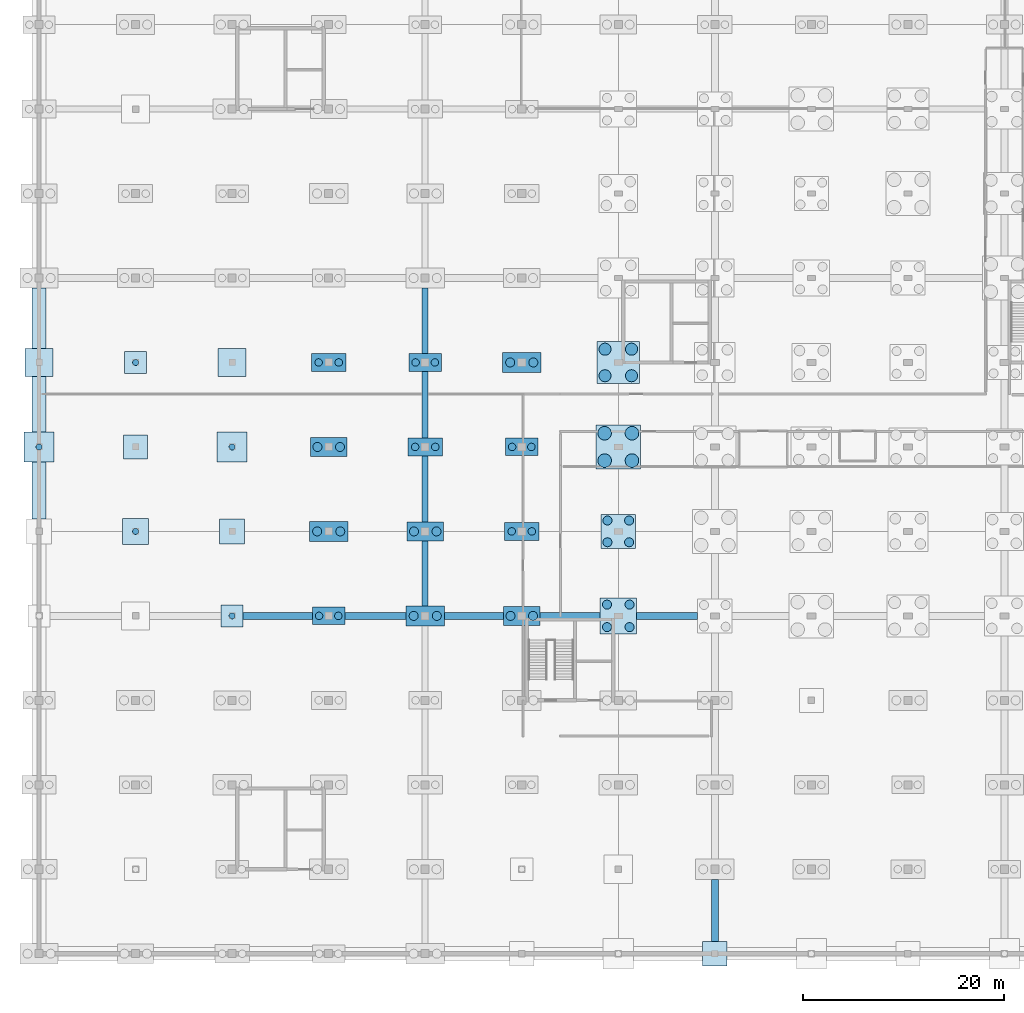
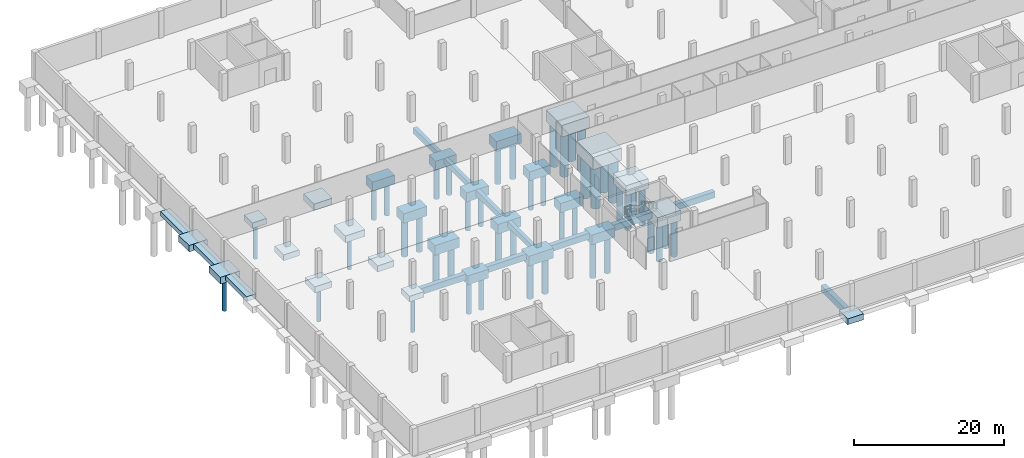
# One storey, part 2 of 26: 45 piles, 39 footings.
"""IFC4 building model written with IfcOpenShell, lengths in metres."""

from ifc_helpers import new_model, si_unit, direction, frame, origin, origin_2d, place, context, subcontext, project, spatial, rectangle, circle, extrude, material, layer, layer_set, material_profile, profile_set, type_object, element, save


model = new_model("IFC4")

# Units and contexts
model_context = context("Model", 3, precision=1e-05, world=origin(), true_north=direction((0.0, 1.0)))
body_context = subcontext(model_context, "Body", "Model", "MODEL_VIEW")
ifc_project = project(units=[si_unit("LENGTHUNIT", "METRE"), si_unit("AREAUNIT", "SQUARE_METRE"), si_unit("VOLUMEUNIT", "CUBIC_METRE"), si_unit("PLANEANGLEUNIT", "RADIAN"), si_unit("MASSUNIT", "GRAM", prefix="KILO")], contexts=[model_context])

# Site, building, storey
site_placement = place(None, origin())
site = spatial("IfcSite", under=ifc_project, at=site_placement, CompositionType="ELEMENT")
building_placement = place(site_placement, origin())
building = spatial("IfcBuilding", under=site, at=building_placement, Name="Lornevale Opera House", CompositionType="ELEMENT")
storey_placement = place(building_placement, frame((0.0, 0.0, -9.60009765625)))
storey = spatial("IfcBuildingStorey", under=building, at=storey_placement, Name="B2", CompositionType="ELEMENT", Elevation=-9.60009765625)

# Footings
ifc_material_1 = material(Name="Concrete 35 MPa (CSA A23.1 N)", Category="concrete")
ifc_layer_1 = layer(ifc_material_1, 1.0)
ifc_layer_set_1 = layer_set([ifc_layer_1], Name="Concrete 35 MPa (CSA A23.1 N)")
footing_type_1 = type_object("IfcFootingType", Name="Canopy Mast Pad 2500x2500x1000", PredefinedType="PAD_FOOTING", material=ifc_layer_set_1)
footing_1_placement = place(storey_placement, frame((19.199951171875, 42.0, -1.4599609375), z_axis=(0.0, 0.0, 1.0), x_axis=(1.0, 0.0, 0.0)))
element("IfcFooting", 1, at=footing_1_placement, inside=storey, type_object=footing_type_1, Name="Canopy Mast Pad 2500x2500x1000 FT-032", PredefinedType="PAD_FOOTING", context=body_context, shape_type="SweptSolid", body=[
    extrude(rectangle(XDim=2.5, YDim=2.5, at=origin_2d()), origin(), (0.0, 0.0, 1.0), 1.0),
])
ifc_layer_2 = layer(ifc_material_1, 1.60009765625)
ifc_layer_set_2 = layer_set([ifc_layer_2], Name="Concrete 35 MPa (CSA A23.1 N)")
footing_type_2 = type_object("IfcFootingType", Name="Four-Caisson Cap 3400x3400x1600", PredefinedType="PILE_CAP", material=ifc_layer_set_2)
footing_2_placement = place(storey_placement, frame((57.60009765625, 42.0, -2.06005859375), z_axis=(0.0, 0.0, 1.0), x_axis=(1.0, 0.0, 0.0)))
element("IfcFooting", 2, at=footing_2_placement, inside=storey, type_object=footing_type_2, Name="Four-Caisson Cap 3400x3400x1600 FT-088", PredefinedType="PILE_CAP", context=body_context, shape_type="SweptSolid", body=[
    extrude(rectangle(XDim=3.39990234375, YDim=3.39990234375, at=origin_2d()), origin(), (0.0, 0.0, 1.0), 1.60009765625),
])
ifc_layer_3 = layer(ifc_material_1, 1.699951171875)
ifc_layer_set_3 = layer_set([ifc_layer_3], Name="Concrete 35 MPa (CSA A23.1 N)")
footing_type_3 = type_object("IfcFootingType", Name="Four-Caisson Cap 3600x3600x1700", PredefinedType="PILE_CAP", material=ifc_layer_set_3)
footing_3_placement = place(storey_placement, frame((57.60009765625, 33.60009765625, -2.15966796875), z_axis=(0.0, 0.0, 1.0), x_axis=(1.0, 0.0, 0.0)))
element("IfcFooting", 3, at=footing_3_placement, inside=storey, type_object=footing_type_3, Name="Four-Caisson Cap 3600x3600x1700 FT-087", PredefinedType="PILE_CAP", context=body_context, shape_type="SweptSolid", body=[
    extrude(rectangle(XDim=3.60009765625, YDim=3.60009765625, at=origin_2d()), origin(), (0.0, 0.0, 1.0), 1.699951171875),
])
ifc_layer_4 = layer(ifc_material_1, 1.89990234375)
ifc_layer_set_4 = layer_set([ifc_layer_4], Name="Concrete 35 MPa (CSA A23.1 N)")
footing_type_4 = type_object("IfcFootingType", Name="Four-Caisson Cap 4200x4200x1900", PredefinedType="PILE_CAP", material=ifc_layer_set_4)
footing_4_placement = place(storey_placement, frame((57.60009765625, 58.800048828125, -2.35986328125), z_axis=(0.0, 0.0, 1.0), x_axis=(1.0, 0.0, 0.0)))
element("IfcFooting", 4, at=footing_4_placement, inside=storey, type_object=footing_type_4, Name="Four-Caisson Cap 4200x4200x1900 FT-090", PredefinedType="PILE_CAP", context=body_context, shape_type="SweptSolid", body=[
    extrude(rectangle(XDim=4.199951171875, YDim=4.199951171875, at=origin_2d()), origin(), (0.0, 0.0, 1.0), 1.89990234375),
])
ifc_layer_5 = layer(ifc_material_1, 2.0)
ifc_layer_set_5 = layer_set([ifc_layer_5], Name="Concrete 35 MPa (CSA A23.1 N)")
footing_type_5 = type_object("IfcFootingType", Name="Four-Caisson Cap 4400x4400x2000", PredefinedType="PILE_CAP", material=ifc_layer_set_5)
footing_5_placement = place(storey_placement, frame((57.60009765625, 50.39990234375, -2.4599609375), z_axis=(0.0, 0.0, 1.0), x_axis=(1.0, 0.0, 0.0)))
element("IfcFooting", 5, at=footing_5_placement, inside=storey, type_object=footing_type_5, Name="Four-Caisson Cap 4400x4400x2000 FT-089", PredefinedType="PILE_CAP", context=body_context, shape_type="SweptSolid", body=[
    extrude(rectangle(XDim=4.39990234375, YDim=4.39990234375, at=origin_2d()), origin(), (0.0, 0.0, 1.0), 2.0),
])
ifc_layer_6 = layer(ifc_material_1, 1.0)
ifc_layer_set_6 = layer_set([ifc_layer_6], Name="Concrete 35 MPa (CSA A23.1 N)")
footing_type_6 = type_object("IfcFootingType", Name="Grade Tie Beam EW 700x1000", PredefinedType="FOOTING_BEAM", material=ifc_layer_set_6)
footing_6_placement = place(storey_placement, frame((23.75, 33.60009765625, -1.4599609375), z_axis=(0.0, 0.0, 1.0), x_axis=(1.0, 0.0, 0.0)))
element("IfcFooting", 6, at=footing_6_placement, inside=storey, type_object=footing_type_6, Name="Grade Tie Beam EW 700x1000 FT-258", PredefinedType="FOOTING_BEAM", context=body_context, shape_type="SweptSolid", body=[
    extrude(rectangle(XDim=6.89990234375, YDim=0.699951171875, at=origin_2d()), origin(), (0.0, 0.0, 1.0), 1.0),
])
footing_7_placement = place(storey_placement, frame((33.449951171875, 33.60009765625, -1.4599609375), z_axis=(0.0, 0.0, 1.0), x_axis=(1.0, 0.0, 0.0)))
element("IfcFooting", 7, at=footing_7_placement, inside=storey, type_object=footing_type_6, Name="Grade Tie Beam EW 700x1000 FT-262", PredefinedType="FOOTING_BEAM", context=body_context, shape_type="SweptSolid", body=[
    extrude(rectangle(XDim=6.10009765625, YDim=0.699951171875, at=origin_2d()), origin(), (0.0, 0.0, 1.0), 1.0),
])
footing_8_placement = place(storey_placement, frame((43.25, 33.60009765625, -1.4599609375), z_axis=(0.0, 0.0, 1.0), x_axis=(1.0, 0.0, 0.0)))
element("IfcFooting", 8, at=footing_8_placement, inside=storey, type_object=footing_type_6, Name="Grade Tie Beam EW 700x1000 FT-266", PredefinedType="FOOTING_BEAM", context=body_context, shape_type="SweptSolid", body=[
    extrude(rectangle(XDim=5.89990234375, YDim=0.699951171875, at=origin_2d()), origin(), (0.0, 0.0, 1.0), 1.0),
])
footing_9_placement = place(storey_placement, frame((52.800048828125, 33.60009765625, -1.4599609375), z_axis=(0.0, 0.0, 1.0), x_axis=(1.0, 0.0, 0.0)))
element("IfcFooting", 9, at=footing_9_placement, inside=storey, type_object=footing_type_6, Name="Grade Tie Beam EW 700x1000 FT-271", PredefinedType="FOOTING_BEAM", context=body_context, shape_type="SweptSolid", body=[
    extrude(rectangle(XDim=6.0, YDim=0.699951171875, at=origin_2d()), origin(), (0.0, 0.0, 1.0), 1.0),
])
footing_10_placement = place(storey_placement, frame((62.449951171875, 33.60009765625, -1.4599609375), z_axis=(0.0, 0.0, 1.0), x_axis=(1.0, 0.0, 0.0)))
element("IfcFooting", 10, at=footing_10_placement, inside=storey, type_object=footing_type_6, Name="Grade Tie Beam EW 700x1000 FT-276", PredefinedType="FOOTING_BEAM", context=body_context, shape_type="SweptSolid", body=[
    extrude(rectangle(XDim=6.10009765625, YDim=0.699951171875, at=origin_2d()), origin(), (0.0, 0.0, 1.0), 1.0),
])
ifc_layer_7 = layer(ifc_material_1, 0.89990234375)
ifc_layer_set_7 = layer_set([ifc_layer_7], Name="Concrete 35 MPa (CSA A23.1 N)")
footing_type_7 = type_object("IfcFootingType", Name="Grade Tie Beam NS 600x900", PredefinedType="FOOTING_BEAM", material=ifc_layer_set_7)
footing_11_placement = place(storey_placement, frame((38.39990234375, 37.824951171875, -1.35986328125), z_axis=(0.0, 0.0, 1.0), x_axis=(1.0, 0.0, 0.0)))
element("IfcFooting", 11, at=footing_11_placement, inside=storey, type_object=footing_type_7, Name="Grade Tie Beam NS 600x900 FT-340", PredefinedType="FOOTING_BEAM", context=body_context, shape_type="SweptSolid", body=[
    extrude(rectangle(XDim=0.60009765625, YDim=6.449951171875, at=origin_2d()), origin(), (0.0, 0.0, 1.0), 0.89990234375),
])
footing_12_placement = place(storey_placement, frame((38.39990234375, 46.22509765625, -1.35986328125), z_axis=(0.0, 0.0, 1.0), x_axis=(1.0, 0.0, 0.0)))
element("IfcFooting", 12, at=footing_12_placement, inside=storey, type_object=footing_type_7, Name="Grade Tie Beam NS 600x900 FT-341", PredefinedType="FOOTING_BEAM", context=body_context, shape_type="SweptSolid", body=[
    extrude(rectangle(XDim=0.60009765625, YDim=6.550048828125, at=origin_2d()), origin(), (0.0, 0.0, 1.0), 0.89990234375),
])
footing_13_placement = place(storey_placement, frame((38.39990234375, 54.612548828125, -1.35986328125), z_axis=(0.0, 0.0, 1.0), x_axis=(1.0, 0.0, 0.0)))
element("IfcFooting", 13, at=footing_13_placement, inside=storey, type_object=footing_type_7, Name="Grade Tie Beam NS 600x900 FT-342", PredefinedType="FOOTING_BEAM", context=body_context, shape_type="SweptSolid", body=[
    extrude(rectangle(XDim=0.60009765625, YDim=6.625, at=origin_2d()), origin(), (0.0, 0.0, 1.0), 0.89990234375),
])
footing_14_placement = place(storey_placement, frame((38.39990234375, 62.9375, -1.35986328125), z_axis=(0.0, 0.0, 1.0), x_axis=(1.0, 0.0, 0.0)))
element("IfcFooting", 14, at=footing_14_placement, inside=storey, type_object=footing_type_7, Name="Grade Tie Beam NS 600x900 FT-343", PredefinedType="FOOTING_BEAM", context=body_context, shape_type="SweptSolid", body=[
    extrude(rectangle(XDim=0.60009765625, YDim=6.52490234375, at=origin_2d()), origin(), (0.0, 0.0, 1.0), 0.89990234375),
])
ifc_layer_8 = layer(ifc_material_1, 1.0)
ifc_layer_set_8 = layer_set([ifc_layer_8], Name="Concrete 35 MPa (CSA A23.1 N)")
footing_type_8 = type_object("IfcFootingType", Name="Grade Tie Beam NS 700x1000", PredefinedType="FOOTING_BEAM", material=ifc_layer_set_8)
footing_15_placement = place(storey_placement, frame((67.199951171875, 4.300048828125, -1.4599609375), z_axis=(0.0, 0.0, 1.0), x_axis=(1.0, 0.0, 0.0)))
element("IfcFooting", 15, at=footing_15_placement, inside=storey, type_object=footing_type_8, Name="Grade Tie Beam NS 700x1000 FT-350", PredefinedType="FOOTING_BEAM", context=body_context, shape_type="SweptSolid", body=[
    extrude(rectangle(XDim=0.699951171875, YDim=6.199951171875, at=origin_2d()), origin(), (0.0, 0.0, 1.0), 1.0),
])

# Piles
ifc_material_2 = material(Name="Concrete 40 MPa (CSA A23.1 C-1)", Category="concrete")
ifc_material_profile_1 = material_profile(ifc_material_2, circle(Radius=0.300048828125, at=origin_2d()), Name="CAIS600")
ifc_profile_set_1 = profile_set([ifc_material_profile_1], Name="Concrete 40 MPa (CSA A23.1 C-1)")
pile_type_1 = type_object("IfcPileType", Name="Micropile Caisson D600", PredefinedType="BORED", material=ifc_profile_set_1)
pile_1_placement = place(storey_placement, frame((0.0, 50.39990234375, -1.43994140625), z_axis=(0.0, 0.0, -1.0), x_axis=(1.0, 0.0, 0.0)))
element("IfcPile", 16, at=pile_1_placement, inside=storey, type_object=pile_type_1, Name="Micropile Caisson D600 0010", PredefinedType="BORED", context=body_context, shape_type="SweptSolid", body=[
    extrude(circle(Radius=0.300048828125, at=origin_2d()), origin(), (0.0, 0.0, 1.0), 5.760009765625),
])
pile_2_placement = place(storey_placement, frame((9.60009765625, 42.0, -1.33984375), z_axis=(0.0, 0.0, -1.0), x_axis=(1.0, 0.0, 0.0)))
element("IfcPile", 17, at=pile_2_placement, inside=storey, type_object=pile_type_1, Name="Micropile Caisson D600 0028", PredefinedType="BORED", context=body_context, shape_type="SweptSolid", body=[
    extrude(circle(Radius=0.300048828125, at=origin_2d()), origin(), (0.0, 0.0, 1.0), 5.860107421875),
])
for number, where, z_axis, x_axis, name in (
    (18, (9.60009765625, 58.800048828125, -1.239990234375), (0.0, 0.0, -1.0), (1.0, 0.0, 0.0), "Micropile Caisson D600 0029"),
    (19, (19.199951171875, 33.60009765625, -1.239990234375), (0.0, 0.0, -1.0), (1.0, 0.0, 0.0), "Micropile Caisson D600 0046"),
):
    element("IfcPile", number, at=place(storey_placement, frame(where, z_axis=z_axis, x_axis=x_axis)), inside=storey, type_object=pile_type_1, Name=name, PredefinedType="BORED", context=body_context, shape_type="SweptSolid", body=[
        extrude(circle(Radius=0.300048828125, at=origin_2d()), origin(), (0.0, 0.0, 1.0), 5.9599609375),
    ])
pile_3_placement = place(storey_placement, frame((19.199951171875, 50.39990234375, -1.43994140625), z_axis=(0.0, 0.0, -1.0), x_axis=(1.0, 0.0, 0.0)))
element("IfcPile", 20, at=pile_3_placement, inside=storey, type_object=pile_type_1, Name="Micropile Caisson D600 0047", PredefinedType="BORED", context=body_context, shape_type="SweptSolid", body=[
    extrude(circle(Radius=0.300048828125, at=origin_2d()), origin(), (0.0, 0.0, 1.0), 5.760009765625),
])

# Footings
ifc_layer_9 = layer(ifc_material_1, 0.75)
ifc_layer_set_9 = layer_set([ifc_layer_9], Name="Concrete 35 MPa (CSA A23.1 N)")
footing_type_9 = type_object("IfcFootingType", Name="Perimeter Strip Footing NS 1400x750", PredefinedType="STRIP_FOOTING", material=ifc_layer_set_9)
footing_16_placement = place(storey_placement, frame((0.0, 46.074951171875, -1.2099609375), z_axis=(0.0, 0.0, 1.0), x_axis=(1.0, 0.0, 0.0)))
element("IfcFooting", 21, at=footing_16_placement, inside=storey, type_object=footing_type_9, Name="Perimeter Strip Footing NS 1400x750 FT-329", PredefinedType="STRIP_FOOTING", context=body_context, shape_type="SweptSolid", body=[
    extrude(rectangle(XDim=1.39990234375, YDim=5.64990234375, at=origin_2d()), origin(), (0.0, 0.0, 1.0), 0.75),
])
footing_17_placement = place(storey_placement, frame((0.0, 54.64990234375, -1.2099609375), z_axis=(0.0, 0.0, 1.0), x_axis=(1.0, 0.0, 0.0)))
element("IfcFooting", 22, at=footing_17_placement, inside=storey, type_object=footing_type_9, Name="Perimeter Strip Footing NS 1400x750 FT-330", PredefinedType="STRIP_FOOTING", context=body_context, shape_type="SweptSolid", body=[
    extrude(rectangle(XDim=1.39990234375, YDim=5.5, at=origin_2d()), origin(), (0.0, 0.0, 1.0), 0.75),
])
footing_18_placement = place(storey_placement, frame((0.0, 63.199951171875, -1.2099609375), z_axis=(0.0, 0.0, 1.0), x_axis=(1.0, 0.0, 0.0)))
element("IfcFooting", 23, at=footing_18_placement, inside=storey, type_object=footing_type_9, Name="Perimeter Strip Footing NS 1400x750 FT-331", PredefinedType="STRIP_FOOTING", context=body_context, shape_type="SweptSolid", body=[
    extrude(rectangle(XDim=1.39990234375, YDim=6.0, at=origin_2d()), origin(), (0.0, 0.0, 1.0), 0.75),
])

# Piles
ifc_material_profile_2 = material_profile(ifc_material_2, circle(Radius=0.60009765625, at=origin_2d()), Name="CAIS1200")
ifc_profile_set_2 = profile_set([ifc_material_profile_2], Name="Concrete 40 MPa (CSA A23.1 C-1)")
pile_type_2 = type_object("IfcPileType", Name="Rock-Socketed Caisson D1200", PredefinedType="BORED", material=ifc_profile_set_2)
for number, where, z_axis, x_axis, name in (
    (24, (56.280029296875, 57.47998046875, -2.239990234375), (0.0, 0.0, -1.0), (1.0, 0.0, 0.0), "Rock-Socketed Caisson D1200 0152"),
    (25, (58.919921875, 57.47998046875, -2.239990234375), (0.0, 0.0, -1.0), (1.0, 0.0, 0.0), "Rock-Socketed Caisson D1200 0153"),
    (26, (56.280029296875, 60.1201171875, -2.239990234375), (0.0, 0.0, -1.0), (1.0, 0.0, 0.0), "Rock-Socketed Caisson D1200 0154"),
    (27, (58.919921875, 60.1201171875, -2.239990234375), (0.0, 0.0, -1.0), (1.0, 0.0, 0.0), "Rock-Socketed Caisson D1200 0155"),
):
    element("IfcPile", number, at=place(storey_placement, frame(where, z_axis=z_axis, x_axis=x_axis)), inside=storey, type_object=pile_type_2, Name=name, PredefinedType="BORED", context=body_context, shape_type="SweptSolid", body=[
        extrude(circle(Radius=0.60009765625, at=origin_2d()), origin(), (0.0, 0.0, 1.0), 6.9599609375),
    ])
ifc_material_profile_3 = material_profile(ifc_material_2, circle(Radius=0.675048828125, at=origin_2d()), Name="CAIS1350")
ifc_profile_set_3 = profile_set([ifc_material_profile_3], Name="Concrete 40 MPa (CSA A23.1 C-1)")
pile_type_3 = type_object("IfcPileType", Name="Rock-Socketed Caisson D1350", PredefinedType="BORED", material=ifc_profile_set_3)
for number, where, z_axis, x_axis, name in (
    (28, (56.239990234375, 49.0400390625, -2.33984375), (0.0, 0.0, -1.0), (1.0, 0.0, 0.0), "Rock-Socketed Caisson D1350 0148"),
    (29, (58.9599609375, 49.0400390625, -2.33984375), (0.0, 0.0, -1.0), (1.0, 0.0, 0.0), "Rock-Socketed Caisson D1350 0149"),
    (30, (56.239990234375, 51.760009765625, -2.33984375), (0.0, 0.0, -1.0), (1.0, 0.0, 0.0), "Rock-Socketed Caisson D1350 0150"),
    (31, (58.9599609375, 51.760009765625, -2.33984375), (0.0, 0.0, -1.0), (1.0, 0.0, 0.0), "Rock-Socketed Caisson D1350 0151"),
):
    element("IfcPile", number, at=place(storey_placement, frame(where, z_axis=z_axis, x_axis=x_axis)), inside=storey, type_object=pile_type_3, Name=name, PredefinedType="BORED", context=body_context, shape_type="SweptSolid", body=[
        extrude(circle(Radius=0.675048828125, at=origin_2d()), origin(), (0.0, 0.0, 1.0), 6.860107421875),
    ])
ifc_material_profile_4 = material_profile(ifc_material_2, circle(Radius=0.375, at=origin_2d()), Name="CAIS750")
ifc_profile_set_4 = profile_set([ifc_material_profile_4], Name="Concrete 40 MPa (CSA A23.1 C-1)")
pile_type_4 = type_object("IfcPileType", Name="Rock-Socketed Caisson D750", PredefinedType="BORED", material=ifc_profile_set_4)
for number, where, z_axis, x_axis, name in (
    (32, (27.840087890625, 33.60009765625, -1.789794921875), (0.0, 0.0, -1.0), (1.0, 0.0, 0.0), "Rock-Socketed Caisson D750 0066"),
    (33, (29.760009765625, 33.60009765625, -1.789794921875), (0.0, 0.0, -1.0), (1.0, 0.0, 0.0), "Rock-Socketed Caisson D750 0067"),
):
    element("IfcPile", number, at=place(storey_placement, frame(where, z_axis=z_axis, x_axis=x_axis)), inside=storey, type_object=pile_type_4, Name=name, PredefinedType="BORED", context=body_context, shape_type="SweptSolid", body=[
        extrude(circle(Radius=0.375, at=origin_2d()), origin(), (0.0, 0.0, 1.0), 5.409912109375),
    ])
for number, where, z_axis, x_axis, name in (
    (34, (27.800048828125, 58.800048828125, -1.83984375), (0.0, 0.0, -1.0), (1.0, 0.0, 0.0), "Rock-Socketed Caisson D750 0072"),
    (35, (29.800048828125, 58.800048828125, -1.83984375), (0.0, 0.0, -1.0), (1.0, 0.0, 0.0), "Rock-Socketed Caisson D750 0073"),
    (36, (37.39990234375, 50.39990234375, -1.83984375), (0.0, 0.0, -1.0), (1.0, 0.0, 0.0), "Rock-Socketed Caisson D750 0096"),
    (37, (39.39990234375, 50.39990234375, -1.83984375), (0.0, 0.0, -1.0), (1.0, 0.0, 0.0), "Rock-Socketed Caisson D750 0097"),
):
    element("IfcPile", number, at=place(storey_placement, frame(where, z_axis=z_axis, x_axis=x_axis)), inside=storey, type_object=pile_type_4, Name=name, PredefinedType="BORED", context=body_context, shape_type="SweptSolid", body=[
        extrude(circle(Radius=0.375, at=origin_2d()), origin(), (0.0, 0.0, 1.0), 5.360107421875),
    ])
for number, where, z_axis, x_axis, name in (
    (38, (37.43994140625, 58.800048828125, -1.789794921875), (0.0, 0.0, -1.0), (1.0, 0.0, 0.0), "Rock-Socketed Caisson D750 0098"),
    (39, (39.360107421875, 58.800048828125, -1.789794921875), (0.0, 0.0, -1.0), (1.0, 0.0, 0.0), "Rock-Socketed Caisson D750 0099"),
):
    element("IfcPile", number, at=place(storey_placement, frame(where, z_axis=z_axis, x_axis=x_axis)), inside=storey, type_object=pile_type_4, Name=name, PredefinedType="BORED", context=body_context, shape_type="SweptSolid", body=[
        extrude(circle(Radius=0.375, at=origin_2d()), origin(), (0.0, 0.0, 1.0), 5.409912109375),
    ])
for number, where, z_axis, x_axis, name in (
    (40, (47.0, 42.0, -1.83984375), (0.0, 0.0, -1.0), (1.0, 0.0, 0.0), "Rock-Socketed Caisson D750 0118"),
    (41, (49.0, 42.0, -1.83984375), (0.0, 0.0, -1.0), (1.0, 0.0, 0.0), "Rock-Socketed Caisson D750 0119"),
):
    element("IfcPile", number, at=place(storey_placement, frame(where, z_axis=z_axis, x_axis=x_axis)), inside=storey, type_object=pile_type_4, Name=name, PredefinedType="BORED", context=body_context, shape_type="SweptSolid", body=[
        extrude(circle(Radius=0.375, at=origin_2d()), origin(), (0.0, 0.0, 1.0), 5.360107421875),
    ])
for number, where, z_axis, x_axis, name in (
    (42, (47.0400390625, 50.39990234375, -1.789794921875), (0.0, 0.0, -1.0), (1.0, 0.0, 0.0), "Rock-Socketed Caisson D750 0120"),
    (43, (48.9599609375, 50.39990234375, -1.789794921875), (0.0, 0.0, -1.0), (1.0, 0.0, 0.0), "Rock-Socketed Caisson D750 0121"),
):
    element("IfcPile", number, at=place(storey_placement, frame(where, z_axis=z_axis, x_axis=x_axis)), inside=storey, type_object=pile_type_4, Name=name, PredefinedType="BORED", context=body_context, shape_type="SweptSolid", body=[
        extrude(circle(Radius=0.375, at=origin_2d()), origin(), (0.0, 0.0, 1.0), 5.409912109375),
    ])
ifc_material_profile_5 = material_profile(ifc_material_2, circle(Radius=0.449951171875, at=origin_2d()), Name="CAIS900")
ifc_profile_set_5 = profile_set([ifc_material_profile_5], Name="Concrete 40 MPa (CSA A23.1 C-1)")
pile_type_5 = type_object("IfcPileType", Name="Rock-Socketed Caisson D900", PredefinedType="BORED", material=ifc_profile_set_5)
for number, where, z_axis, x_axis, name in (
    (44, (27.64990234375, 42.0, -1.93994140625), (0.0, 0.0, -1.0), (1.0, 0.0, 0.0), "Rock-Socketed Caisson D900 0068"),
    (45, (29.949951171875, 42.0, -1.93994140625), (0.0, 0.0, -1.0), (1.0, 0.0, 0.0), "Rock-Socketed Caisson D900 0069"),
):
    element("IfcPile", number, at=place(storey_placement, frame(where, z_axis=z_axis, x_axis=x_axis)), inside=storey, type_object=pile_type_5, Name=name, PredefinedType="BORED", context=body_context, shape_type="SweptSolid", body=[
        extrude(circle(Radius=0.449951171875, at=origin_2d()), origin(), (0.0, 0.0, 1.0), 6.06005859375),
    ])
for number, where, z_axis, x_axis, name in (
    (46, (27.679931640625, 50.39990234375, -1.889892578125), (0.0, 0.0, -1.0), (1.0, 0.0, 0.0), "Rock-Socketed Caisson D900 0070"),
    (47, (29.919921875, 50.39990234375, -1.889892578125), (0.0, 0.0, -1.0), (1.0, 0.0, 0.0), "Rock-Socketed Caisson D900 0071"),
):
    element("IfcPile", number, at=place(storey_placement, frame(where, z_axis=z_axis, x_axis=x_axis)), inside=storey, type_object=pile_type_5, Name=name, PredefinedType="BORED", context=body_context, shape_type="SweptSolid", body=[
        extrude(circle(Radius=0.449951171875, at=origin_2d()), origin(), (0.0, 0.0, 1.0), 6.110107421875),
    ])
for number, where, z_axis, x_axis, name in (
    (48, (37.25, 33.60009765625, -1.93994140625), (0.0, 0.0, -1.0), (1.0, 0.0, 0.0), "Rock-Socketed Caisson D900 0092"),
    (49, (39.550048828125, 33.60009765625, -1.93994140625), (0.0, 0.0, -1.0), (1.0, 0.0, 0.0), "Rock-Socketed Caisson D900 0093"),
):
    element("IfcPile", number, at=place(storey_placement, frame(where, z_axis=z_axis, x_axis=x_axis)), inside=storey, type_object=pile_type_5, Name=name, PredefinedType="BORED", context=body_context, shape_type="SweptSolid", body=[
        extrude(circle(Radius=0.449951171875, at=origin_2d()), origin(), (0.0, 0.0, 1.0), 6.06005859375),
    ])
for number, where, z_axis, x_axis, name in (
    (50, (37.280029296875, 42.0, -1.889892578125), (0.0, 0.0, -1.0), (1.0, 0.0, 0.0), "Rock-Socketed Caisson D900 0094"),
    (51, (39.52001953125, 42.0, -1.889892578125), (0.0, 0.0, -1.0), (1.0, 0.0, 0.0), "Rock-Socketed Caisson D900 0095"),
    (52, (46.8798828125, 33.60009765625, -1.889892578125), (0.0, 0.0, -1.0), (1.0, 0.0, 0.0), "Rock-Socketed Caisson D900 0116"),
    (53, (49.1201171875, 33.60009765625, -1.889892578125), (0.0, 0.0, -1.0), (1.0, 0.0, 0.0), "Rock-Socketed Caisson D900 0117"),
):
    element("IfcPile", number, at=place(storey_placement, frame(where, z_axis=z_axis, x_axis=x_axis)), inside=storey, type_object=pile_type_5, Name=name, PredefinedType="BORED", context=body_context, shape_type="SweptSolid", body=[
        extrude(circle(Radius=0.449951171875, at=origin_2d()), origin(), (0.0, 0.0, 1.0), 6.110107421875),
    ])
for number, where, z_axis, x_axis, name in (
    (54, (46.85009765625, 58.800048828125, -1.93994140625), (0.0, 0.0, -1.0), (1.0, 0.0, 0.0), "Rock-Socketed Caisson D900 0122"),
    (55, (49.14990234375, 58.800048828125, -1.93994140625), (0.0, 0.0, -1.0), (1.0, 0.0, 0.0), "Rock-Socketed Caisson D900 0123"),
):
    element("IfcPile", number, at=place(storey_placement, frame(where, z_axis=z_axis, x_axis=x_axis)), inside=storey, type_object=pile_type_5, Name=name, PredefinedType="BORED", context=body_context, shape_type="SweptSolid", body=[
        extrude(circle(Radius=0.449951171875, at=origin_2d()), origin(), (0.0, 0.0, 1.0), 6.06005859375),
    ])
for number, where, z_axis, x_axis, name in (
    (56, (56.47998046875, 32.47998046875, -2.039794921875), (0.0, 0.0, -1.0), (1.0, 0.0, 0.0), "Rock-Socketed Caisson D900 0140"),
    (57, (58.719970703125, 32.47998046875, -2.039794921875), (0.0, 0.0, -1.0), (1.0, 0.0, 0.0), "Rock-Socketed Caisson D900 0141"),
    (58, (56.47998046875, 34.719970703125, -2.039794921875), (0.0, 0.0, -1.0), (1.0, 0.0, 0.0), "Rock-Socketed Caisson D900 0142"),
    (59, (58.719970703125, 34.719970703125, -2.039794921875), (0.0, 0.0, -1.0), (1.0, 0.0, 0.0), "Rock-Socketed Caisson D900 0143"),
):
    element("IfcPile", number, at=place(storey_placement, frame(where, z_axis=z_axis, x_axis=x_axis)), inside=storey, type_object=pile_type_5, Name=name, PredefinedType="BORED", context=body_context, shape_type="SweptSolid", body=[
        extrude(circle(Radius=0.449951171875, at=origin_2d()), origin(), (0.0, 0.0, 1.0), 5.9599609375),
    ])
for number, where, z_axis, x_axis, name in (
    (60, (56.52001953125, 40.919921875, -1.93994140625), (0.0, 0.0, -1.0), (1.0, 0.0, 0.0), "Rock-Socketed Caisson D900 0144"),
    (61, (58.679931640625, 40.919921875, -1.93994140625), (0.0, 0.0, -1.0), (1.0, 0.0, 0.0), "Rock-Socketed Caisson D900 0145"),
    (62, (56.52001953125, 43.080078125, -1.93994140625), (0.0, 0.0, -1.0), (1.0, 0.0, 0.0), "Rock-Socketed Caisson D900 0146"),
    (63, (58.679931640625, 43.080078125, -1.93994140625), (0.0, 0.0, -1.0), (1.0, 0.0, 0.0), "Rock-Socketed Caisson D900 0147"),
):
    element("IfcPile", number, at=place(storey_placement, frame(where, z_axis=z_axis, x_axis=x_axis)), inside=storey, type_object=pile_type_5, Name=name, PredefinedType="BORED", context=body_context, shape_type="SweptSolid", body=[
        extrude(circle(Radius=0.449951171875, at=origin_2d()), origin(), (0.0, 0.0, 1.0), 6.06005859375),
    ])

# Footings
ifc_layer_10 = layer(ifc_material_1, 0.89990234375)
ifc_layer_set_10 = layer_set([ifc_layer_10], Name="Concrete 35 MPa (CSA A23.1 N)")
footing_type_10 = type_object("IfcFootingType", Name="Spread Pad Footing 2200x2200x900", PredefinedType="PAD_FOOTING", material=ifc_layer_set_10)
for number, where, z_axis, x_axis, name in (
    (64, (9.60009765625, 58.800048828125, -1.35986328125), (0.0, 0.0, 1.0), (1.0, 0.0, 0.0), "Spread Pad Footing 2200x2200x900 FT-021"),
    (65, (19.199951171875, 33.60009765625, -1.35986328125), (0.0, 0.0, 1.0), (1.0, 0.0, 0.0), "Spread Pad Footing 2200x2200x900 FT-031"),
):
    element("IfcFooting", number, at=place(storey_placement, frame(where, z_axis=z_axis, x_axis=x_axis)), inside=storey, type_object=footing_type_10, Name=name, PredefinedType="PAD_FOOTING", context=body_context, shape_type="SweptSolid", body=[
        extrude(rectangle(XDim=2.199951171875, YDim=2.199951171875, at=origin_2d()), origin(), (0.0, 0.0, 1.0), 0.89990234375),
    ])
ifc_layer_11 = layer(ifc_material_1, 0.949951171875)
ifc_layer_set_11 = layer_set([ifc_layer_11], Name="Concrete 35 MPa (CSA A23.1 N)")
footing_type_11 = type_object("IfcFootingType", Name="Spread Pad Footing 2400x2400x950", PredefinedType="PAD_FOOTING", material=ifc_layer_set_11)
for number, where, z_axis, x_axis, name in (
    (66, (9.60009765625, 50.39990234375, -1.40966796875), (0.0, 0.0, 1.0), (1.0, 0.0, 0.0), "Spread Pad Footing 2400x2400x950 FT-020"),
    (67, (67.199951171875, 0.0, -1.40966796875), (0.0, 0.0, 1.0), (1.0, 0.0, 0.0), "Spread Pad Footing 2400x2400x950 FT-098"),
):
    element("IfcFooting", number, at=place(storey_placement, frame(where, z_axis=z_axis, x_axis=x_axis)), inside=storey, type_object=footing_type_11, Name=name, PredefinedType="PAD_FOOTING", context=body_context, shape_type="SweptSolid", body=[
        extrude(rectangle(XDim=2.39990234375, YDim=2.39990234375, at=origin_2d()), origin(), (0.0, 0.0, 1.0), 0.949951171875),
    ])
ifc_layer_12 = layer(ifc_material_1, 1.0)
ifc_layer_set_12 = layer_set([ifc_layer_12], Name="Concrete 35 MPa (CSA A23.1 N)")
footing_type_12 = type_object("IfcFootingType", Name="Spread Pad Footing 2600x2600x1000", PredefinedType="PAD_FOOTING", material=ifc_layer_set_12)
footing_19_placement = place(storey_placement, frame((9.60009765625, 42.0, -1.4599609375), z_axis=(0.0, 0.0, 1.0), x_axis=(1.0, 0.0, 0.0)))
element("IfcFooting", 68, at=footing_19_placement, inside=storey, type_object=footing_type_12, Name="Spread Pad Footing 2600x2600x1000 FT-019", PredefinedType="PAD_FOOTING", context=body_context, shape_type="SweptSolid", body=[
    extrude(rectangle(XDim=2.60009765625, YDim=2.60009765625, at=origin_2d()), origin(), (0.0, 0.0, 1.0), 1.0),
])
ifc_layer_13 = layer(ifc_material_1, 1.050048828125)
ifc_layer_set_13 = layer_set([ifc_layer_13], Name="Concrete 35 MPa (CSA A23.1 N)")
footing_type_13 = type_object("IfcFootingType", Name="Spread Pad Footing 2800x2800x1050", PredefinedType="PAD_FOOTING", material=ifc_layer_set_13)
for number, where, z_axis, x_axis, name in (
    (69, (0.0, 58.800048828125, -1.509765625), (0.0, 0.0, 1.0), (1.0, 0.0, 0.0), "Spread Pad Footing 2800x2800x1050 FT-008"),
    (70, (19.199951171875, 58.800048828125, -1.509765625), (0.0, 0.0, 1.0), (1.0, 0.0, 0.0), "Spread Pad Footing 2800x2800x1050 FT-034"),
):
    element("IfcFooting", number, at=place(storey_placement, frame(where, z_axis=z_axis, x_axis=x_axis)), inside=storey, type_object=footing_type_13, Name=name, PredefinedType="PAD_FOOTING", context=body_context, shape_type="SweptSolid", body=[
        extrude(rectangle(XDim=2.800048828125, YDim=2.800048828125, at=origin_2d()), origin(), (0.0, 0.0, 1.0), 1.050048828125),
    ])
ifc_layer_14 = layer(ifc_material_1, 1.10009765625)
ifc_layer_set_14 = layer_set([ifc_layer_14], Name="Concrete 35 MPa (CSA A23.1 N)")
footing_type_14 = type_object("IfcFootingType", Name="Spread Pad Footing 3000x3000x1100", PredefinedType="PAD_FOOTING", material=ifc_layer_set_14)
for number, where, z_axis, x_axis, name in (
    (71, (0.0, 50.39990234375, -1.56005859375), (0.0, 0.0, 1.0), (1.0, 0.0, 0.0), "Spread Pad Footing 3000x3000x1100 FT-007"),
    (72, (19.199951171875, 50.39990234375, -1.56005859375), (0.0, 0.0, 1.0), (1.0, 0.0, 0.0), "Spread Pad Footing 3000x3000x1100 FT-033"),
):
    element("IfcFooting", number, at=place(storey_placement, frame(where, z_axis=z_axis, x_axis=x_axis)), inside=storey, type_object=footing_type_14, Name=name, PredefinedType="PAD_FOOTING", context=body_context, shape_type="SweptSolid", body=[
        extrude(rectangle(XDim=3.0, YDim=3.0, at=origin_2d()), origin(), (0.0, 0.0, 1.0), 1.10009765625),
    ])
ifc_layer_15 = layer(ifc_material_1, 1.449951171875)
ifc_layer_set_15 = layer_set([ifc_layer_15], Name="Concrete 35 MPa (CSA A23.1 N)")
footing_type_15 = type_object("IfcFootingType", Name="Two-Caisson Cap 3200x1750x1450", PredefinedType="PILE_CAP", material=ifc_layer_set_15)
for number, where, z_axis, x_axis, name in (
    (73, (28.800048828125, 33.60009765625, -1.90966796875), (0.0, 0.0, 1.0), (1.0, 0.0, 0.0), "Two-Caisson Cap 3200x1750x1450 FT-044"),
    (74, (38.39990234375, 58.800048828125, -1.90966796875), (0.0, 0.0, 1.0), (1.0, 0.0, 0.0), "Two-Caisson Cap 3200x1750x1450 FT-060"),
    (75, (48.0, 50.39990234375, -1.90966796875), (0.0, 0.0, 1.0), (1.0, 0.0, 0.0), "Two-Caisson Cap 3200x1750x1450 FT-074"),
):
    element("IfcFooting", number, at=place(storey_placement, frame(where, z_axis=z_axis, x_axis=x_axis)), inside=storey, type_object=footing_type_15, Name=name, PredefinedType="PILE_CAP", context=body_context, shape_type="SweptSolid", body=[
        extrude(rectangle(XDim=3.199951171875, YDim=1.75, at=origin_2d()), origin(), (0.0, 0.0, 1.0), 1.449951171875),
    ])
ifc_layer_16 = layer(ifc_material_1, 1.5)
ifc_layer_set_16 = layer_set([ifc_layer_16], Name="Concrete 35 MPa (CSA A23.1 N)")
footing_type_16 = type_object("IfcFootingType", Name="Two-Caisson Cap 3400x1800x1500", PredefinedType="PILE_CAP", material=ifc_layer_set_16)
for number, where, z_axis, x_axis, name in (
    (76, (28.800048828125, 58.800048828125, -1.9599609375), (0.0, 0.0, 1.0), (1.0, 0.0, 0.0), "Two-Caisson Cap 3400x1800x1500 FT-047"),
    (77, (38.39990234375, 50.39990234375, -1.9599609375), (0.0, 0.0, 1.0), (1.0, 0.0, 0.0), "Two-Caisson Cap 3400x1800x1500 FT-059"),
    (78, (48.0, 42.0, -1.9599609375), (0.0, 0.0, 1.0), (1.0, 0.0, 0.0), "Two-Caisson Cap 3400x1800x1500 FT-073"),
):
    element("IfcFooting", number, at=place(storey_placement, frame(where, z_axis=z_axis, x_axis=x_axis)), inside=storey, type_object=footing_type_16, Name=name, PredefinedType="PILE_CAP", context=body_context, shape_type="SweptSolid", body=[
        extrude(rectangle(XDim=3.39990234375, YDim=1.800048828125, at=origin_2d()), origin(), (0.0, 0.0, 1.0), 1.5),
    ])
ifc_layer_17 = layer(ifc_material_1, 1.550048828125)
ifc_layer_set_17 = layer_set([ifc_layer_17], Name="Concrete 35 MPa (CSA A23.1 N)")
footing_type_17 = type_object("IfcFootingType", Name="Two-Caisson Cap 3600x1900x1550", PredefinedType="PILE_CAP", material=ifc_layer_set_17)
for number, where, z_axis, x_axis, name in (
    (79, (28.800048828125, 50.39990234375, -2.009765625), (0.0, 0.0, 1.0), (1.0, 0.0, 0.0), "Two-Caisson Cap 3600x1900x1550 FT-046"),
    (80, (38.39990234375, 42.0, -2.009765625), (0.0, 0.0, 1.0), (1.0, 0.0, 0.0), "Two-Caisson Cap 3600x1900x1550 FT-058"),
    (81, (48.0, 33.60009765625, -2.009765625), (0.0, 0.0, 1.0), (1.0, 0.0, 0.0), "Two-Caisson Cap 3600x1900x1550 FT-072"),
):
    element("IfcFooting", number, at=place(storey_placement, frame(where, z_axis=z_axis, x_axis=x_axis)), inside=storey, type_object=footing_type_17, Name=name, PredefinedType="PILE_CAP", context=body_context, shape_type="SweptSolid", body=[
        extrude(rectangle(XDim=3.60009765625, YDim=1.89990234375, at=origin_2d()), origin(), (0.0, 0.0, 1.0), 1.550048828125),
    ])
ifc_layer_18 = layer(ifc_material_1, 1.60009765625)
ifc_layer_set_18 = layer_set([ifc_layer_18], Name="Concrete 35 MPa (CSA A23.1 N)")
footing_type_18 = type_object("IfcFootingType", Name="Two-Caisson Cap 3800x2000x1600", PredefinedType="PILE_CAP", material=ifc_layer_set_18)
for number, where, z_axis, x_axis, name in (
    (82, (28.800048828125, 42.0, -2.06005859375), (0.0, 0.0, 1.0), (1.0, 0.0, 0.0), "Two-Caisson Cap 3800x2000x1600 FT-045"),
    (83, (38.39990234375, 33.60009765625, -2.06005859375), (0.0, 0.0, 1.0), (1.0, 0.0, 0.0), "Two-Caisson Cap 3800x2000x1600 FT-057"),
    (84, (48.0, 58.800048828125, -2.06005859375), (0.0, 0.0, 1.0), (1.0, 0.0, 0.0), "Two-Caisson Cap 3800x2000x1600 FT-075"),
):
    element("IfcFooting", number, at=place(storey_placement, frame(where, z_axis=z_axis, x_axis=x_axis)), inside=storey, type_object=footing_type_18, Name=name, PredefinedType="PILE_CAP", context=body_context, shape_type="SweptSolid", body=[
        extrude(rectangle(XDim=3.800048828125, YDim=2.0, at=origin_2d()), origin(), (0.0, 0.0, 1.0), 1.60009765625),
    ])

save(model, "model.ifc")
